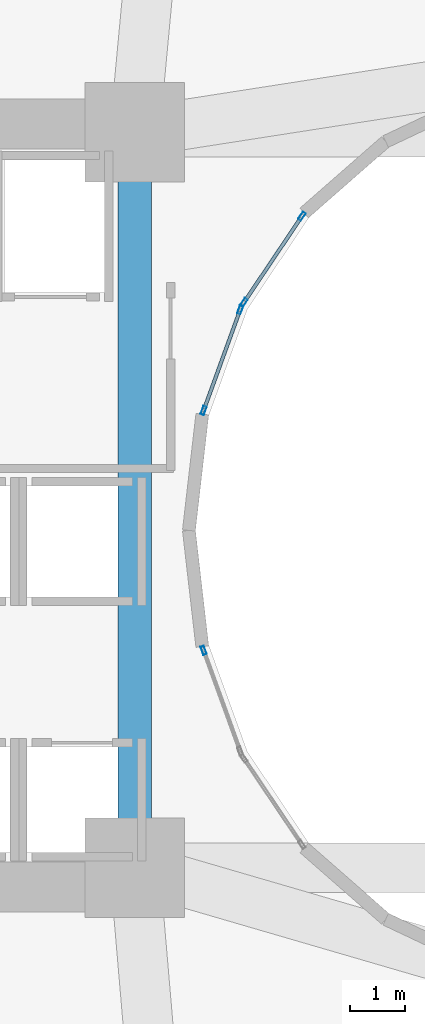
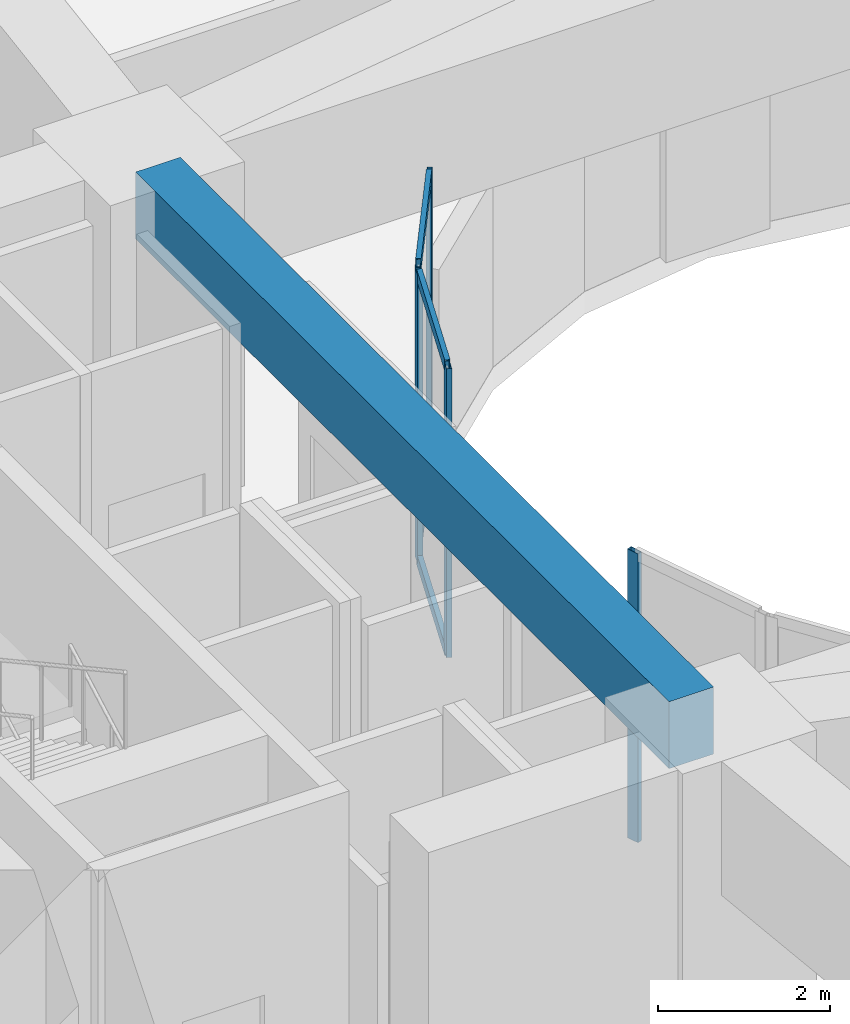
# One storey, part 6 of 27: 9 members, 1 beam, 3 elements without a shape of their own.
"""IFC4 building model written with IfcOpenShell, lengths in metres."""

from ifc_helpers import new_model, si_unit, direction, frame, origin, origin_2d, place, context, subcontext, project, spatial, rectangle, hollow_rectangle, extrude, material, layer, layer_set, material_profile, profile_set, type_object, element, aggregate, save


model = new_model("IFC4")

# Units and contexts
model_context = context("Model", 3, precision=1e-05, world=origin(), true_north=direction((0.0, 1.0)))
body_context = subcontext(model_context, "Body", "Model", "MODEL_VIEW")
ifc_project = project(units=[si_unit("LENGTHUNIT", "METRE"), si_unit("AREAUNIT", "SQUARE_METRE"), si_unit("VOLUMEUNIT", "CUBIC_METRE"), si_unit("PLANEANGLEUNIT", "RADIAN"), si_unit("MASSUNIT", "GRAM", prefix="KILO")], contexts=[model_context])

# Site, building, storey
site_placement = place(None, origin())
site = spatial("IfcSite", under=ifc_project, at=site_placement, CompositionType="ELEMENT")
building_placement = place(site_placement, origin())
building = spatial("IfcBuilding", under=site, at=building_placement, Name="Solvane Sanctuary Tower", CompositionType="ELEMENT")
storey_placement = place(building_placement, frame((0.0, 0.0, 23.0)))
storey = spatial("IfcBuildingStorey", under=building, at=storey_placement, Name="L06", CompositionType="ELEMENT", Elevation=23.0)

# Beam
ifc_material_1 = material(Name="Concrete C70/85", Category="concrete")
ifc_material_profile_1 = material_profile(ifc_material_1, rectangle(XDim=0.60009765625, YDim=0.949951171875, at=origin_2d()), Name="RC600X950")
ifc_profile_set_1 = profile_set([ifc_material_profile_1], Name="Concrete C70/85")
beam_type = type_object("IfcBeamType", Name="Beam B-COUPLE RC600X950", PredefinedType="LINTEL", material=ifc_profile_set_1)
beam_placement = place(storey_placement, frame((23.89990234375, 17.35009765625, 4.125), z_axis=(0.0, 1.0, 0.0), x_axis=(-1.0, 0.0, 0.0)))
element("IfcBeam", 1, at=beam_placement, inside=storey, type_object=beam_type, Name="L06 West Core Coupling Lintel", PredefinedType="LINTEL", context=body_context, shape_type="SweptSolid", body=[
    extrude(rectangle(XDim=0.60009765625, YDim=0.949951171875, at=origin_2d()), origin(), (0.0, 0.0, 1.0), 12.39990234375),
])

# Curtain wall, members
ifc_material_2 = material(Name="Anodised Aluminium 6063-T6", Category="aluminium")
ifc_layer = layer(ifc_material_2, 0.199951171875, Name="Anodised Aluminium 6063-T6")
ifc_layer_set = layer_set([ifc_layer], Name="Anodised Aluminium 6063-T6")
curtain_wall_type = type_object("IfcCurtainWallType", Name="Curtain Wall CW-WELL", PredefinedType="NOTDEFINED", material=ifc_layer_set)
curtain_wall_1_placement = place(storey_placement, origin())
curtain_wall_1 = element("IfcCurtainWall", 2, at=curtain_wall_1_placement, inside=storey, type_object=curtain_wall_type, Name="L06 Light-Well Curtain Wall 09", PredefinedType="NOTDEFINED")
ifc_material_profile_2 = material_profile(ifc_material_2, hollow_rectangle(XDim=0.06494140625, YDim=0.159912109375, WallThickness=0.00341796875, at=origin_2d()), Name="ALU160X65X3.5")
ifc_profile_set_2 = profile_set([ifc_material_profile_2], Name="Anodised Aluminium 6063-T6")
member_type_1 = type_object("IfcMemberType", Name="Member M-CW-MUL-2 ALU160X65X3.5", PredefinedType="MULLION", material=ifc_profile_set_2)
member_1_placement = place(storey_placement, frame((26.925048828125, 28.681640625, 0.0), z_axis=(0.0, 0.0, 1.0), x_axis=(0.829664150104, -0.558262839559, 0.0)))
member_1 = element("IfcMember", 3, at=member_1_placement, type_object=member_type_1, Name="CW-WELL mullion 1", PredefinedType="MULLION", context=body_context, shape_type="SweptSolid", body=[
    extrude(hollow_rectangle(XDim=0.06494140625, YDim=0.159912109375, WallThickness=0.00341796875, at=origin_2d()), origin(), (0.0, 0.0, 1.0), 4.10009765625),
])
member_2_placement = place(storey_placement, frame((25.874267578125, 27.1201171875, 0.0), z_axis=(0.0, 0.0, 1.0), x_axis=(0.829664150104, -0.558262839559, 0.0)))
member_2 = element("IfcMember", 4, at=member_2_placement, type_object=member_type_1, Name="CW-WELL mullion 2", PredefinedType="MULLION", context=body_context, shape_type="SweptSolid", body=[
    extrude(hollow_rectangle(XDim=0.06494140625, YDim=0.159912109375, WallThickness=0.00341796875, at=origin_2d()), origin(), (0.0, 0.0, 1.0), 4.10009765625),
])

curtain_wall_2_placement = place(storey_placement, origin())
curtain_wall_2 = element("IfcCurtainWall", 5, at=curtain_wall_2_placement, inside=storey, type_object=curtain_wall_type, Name="L06 Light-Well Curtain Wall 10", PredefinedType="NOTDEFINED")
member_3_placement = place(storey_placement, frame((25.80908203125, 26.991943359375, 0.0), z_axis=(0.0, 0.0, 1.0), x_axis=(0.939937610132, -0.341346289067, 0.0)))
member_3 = element("IfcMember", 6, at=member_3_placement, type_object=member_type_1, Name="CW-WELL mullion 1", PredefinedType="MULLION", context=body_context, shape_type="SweptSolid", body=[
    extrude(hollow_rectangle(XDim=0.06494140625, YDim=0.159912109375, WallThickness=0.00341796875, at=origin_2d()), origin(), (0.0, 0.0, 1.0), 4.10009765625),
])
member_4_placement = place(storey_placement, frame((25.1474609375, 25.169677734375, 0.0), z_axis=(0.0, 0.0, 1.0), x_axis=(0.939937610132, -0.341346289067, 0.0)))
member_4 = element("IfcMember", 7, at=member_4_placement, type_object=member_type_1, Name="CW-WELL mullion 2", PredefinedType="MULLION", context=body_context, shape_type="SweptSolid", body=[
    extrude(hollow_rectangle(XDim=0.06494140625, YDim=0.159912109375, WallThickness=0.00341796875, at=origin_2d()), origin(), (0.0, 0.0, 1.0), 4.10009765625),
])

# Curtain wall, member
curtain_wall_3_placement = place(storey_placement, origin())
curtain_wall_3 = element("IfcCurtainWall", 8, at=curtain_wall_3_placement, inside=storey, type_object=curtain_wall_type, Name="L06 Light-Well Curtain Wall 13", PredefinedType="NOTDEFINED")
member_5_placement = place(storey_placement, frame((25.1474609375, 20.830322265625, 0.0), z_axis=(0.0, 0.0, 1.0), x_axis=(0.939937610132, 0.341346289067, 0.0)))
member_5 = element("IfcMember", 9, at=member_5_placement, type_object=member_type_1, Name="CW-WELL mullion 1", PredefinedType="MULLION", context=body_context, shape_type="SweptSolid", body=[
    extrude(hollow_rectangle(XDim=0.06494140625, YDim=0.159912109375, WallThickness=0.00341796875, at=origin_2d()), origin(), (0.0, 0.0, 1.0), 4.10009765625),
])
aggregate(curtain_wall_3, [member_5])

# Member
ifc_material_profile_3 = material_profile(ifc_material_2, hollow_rectangle(XDim=0.06494140625, YDim=0.159912109375, WallThickness=0.00341796875, at=origin_2d()), Name="ALU160X65X3.5")
ifc_profile_set_3 = profile_set([ifc_material_profile_3], Name="Anodised Aluminium 6063-T6")
member_type_2 = type_object("IfcMemberType", Name="Member M-CW-TRN-1 ALU160X65X3.5", PredefinedType="USERDEFINED", material=ifc_profile_set_3)
member_6_placement = place(storey_placement, frame((26.90673828125, 28.654541015625, 0.032470703125), z_axis=(-0.558230518083, -0.829685897603, 0.0), x_axis=(0.829685897603, -0.558230518083, 0.0)))
member_6 = element("IfcMember", 10, at=member_6_placement, type_object=member_type_2, Name="CW-WELL transom 1.1", ObjectType="TRANSOM", PredefinedType="USERDEFINED", context=body_context, shape_type="SweptSolid", body=[
    extrude(hollow_rectangle(XDim=0.06494140625, YDim=0.159912109375, WallThickness=0.00341796875, at=origin_2d()), origin(), (0.0, 0.0, 1.0), 1.816650390625),
])

member_7_placement = place(storey_placement, frame((26.90673828125, 28.654541015625, 4.0673828125), z_axis=(-0.558230518083, -0.829685897603, 0.0), x_axis=(0.829685897603, -0.558230518083, 0.0)))
member_7 = element("IfcMember", 11, at=member_7_placement, type_object=member_type_2, Name="CW-WELL transom 1.2", ObjectType="TRANSOM", PredefinedType="USERDEFINED", context=body_context, shape_type="SweptSolid", body=[
    extrude(hollow_rectangle(XDim=0.06494140625, YDim=0.159912109375, WallThickness=0.00341796875, at=origin_2d()), origin(), (0.0, 0.0, 1.0), 1.816650390625),
])

aggregate(curtain_wall_1, [member_1, member_2, member_6, member_7])

member_8_placement = place(storey_placement, frame((25.798095703125, 26.96142578125, 0.032470703125), z_axis=(-0.341366423667, -0.939930297837, 0.0), x_axis=(0.939930297837, -0.341366423667, 0.0)))
member_8 = element("IfcMember", 12, at=member_8_placement, type_object=member_type_2, Name="CW-WELL transom 1.1", ObjectType="TRANSOM", PredefinedType="USERDEFINED", context=body_context, shape_type="SweptSolid", body=[
    extrude(hollow_rectangle(XDim=0.06494140625, YDim=0.159912109375, WallThickness=0.00341796875, at=origin_2d()), origin(), (0.0, 0.0, 1.0), 1.873779296875),
])

member_9_placement = place(storey_placement, frame((25.798095703125, 26.96142578125, 4.0673828125), z_axis=(-0.341366423667, -0.939930297837, 0.0), x_axis=(0.939930297837, -0.341366423667, 0.0)))
member_9 = element("IfcMember", 13, at=member_9_placement, type_object=member_type_2, Name="CW-WELL transom 1.2", ObjectType="TRANSOM", PredefinedType="USERDEFINED", context=body_context, shape_type="SweptSolid", body=[
    extrude(hollow_rectangle(XDim=0.06494140625, YDim=0.159912109375, WallThickness=0.00341796875, at=origin_2d()), origin(), (0.0, 0.0, 1.0), 1.873779296875),
])

aggregate(curtain_wall_2, [member_3, member_4, member_8, member_9])

save(model, "model.ifc")
